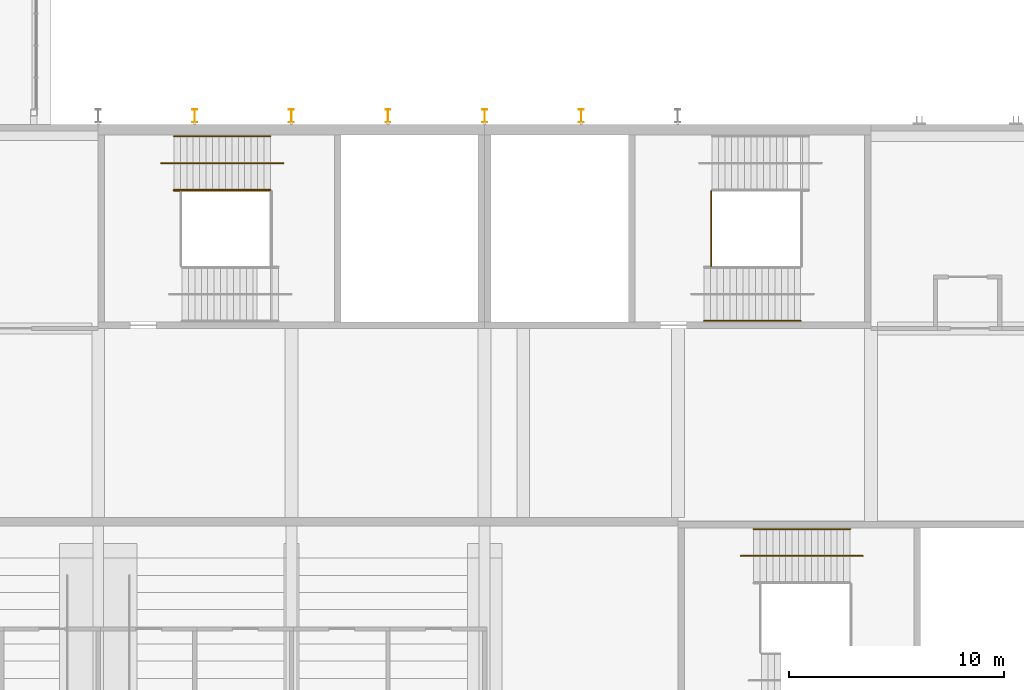
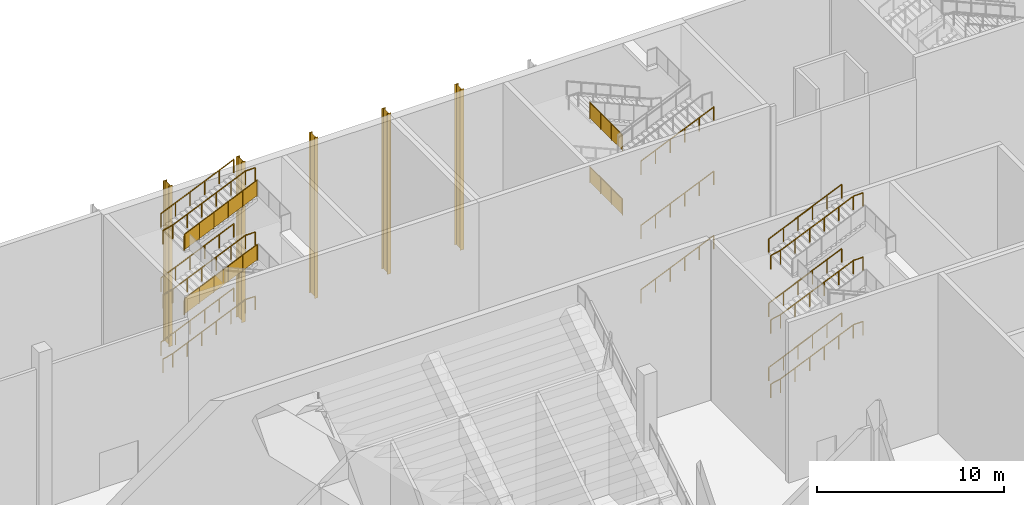
# One storey, part 174 of 182: 21 railings, 5 shading devices.
"""IFC4 building model written with IfcOpenShell, lengths in metres."""

import ifcopenshell
import ifcopenshell.guid

model = None  # the IFC model being written
_history = None  # IfcOwnerHistory: only IFC2X3 demands one
_inside = {}  # id of a spatial element -> (the spatial element, [elements in it])
_under = {}  # id of a project, library or spatial element -> (it, [spatial elements below it])
_declared = {}  # id of a project -> (the project, [libraries it declares])
_typed = {}  # id of a type object -> (the type object, [elements of that type])
_made_of = {}  # id of a material, layer set ... -> (it, [elements and type objects made of it])


def new_model(schema):
    """Start an empty IFC model of exactly this schema.

    Asked for "IFC4X3", IfcOpenShell would pick the latest addendum, in which some entities
    have other attributes; the version numbers below select the first issue.
    IFC2X3 requires an IfcOwnerHistory on every rooted entity: one is made here for all.
    """
    global model, _history
    if schema == "IFC4X3":
        model = ifcopenshell.file(schema_version=(4, 3, 0, 0))
    else:
        model = ifcopenshell.file(schema=schema)
    _inside.clear()
    _under.clear()
    _declared.clear()
    _typed.clear()
    _made_of.clear()
    _history = None
    if model.schema == "IFC2X3":
        org = make("IfcOrganization", Name="unknown")
        user = make(
            "IfcPersonAndOrganization",
            ThePerson=make("IfcPerson", FamilyName="unknown"),
            TheOrganization=org,
        )
        app = make(
            "IfcApplication",
            ApplicationDeveloper=org,
            Version="unknown",
            ApplicationFullName="unknown",
            ApplicationIdentifier="unknown",
        )
        _history = make(
            "IfcOwnerHistory",
            OwningUser=user,
            OwningApplication=app,
            ChangeAction="ADDED",
            CreationDate=0,
        )
    return model


def make(cls, **values):
    """One entity of the class cls with the attributes given. An attribute that is None is left unset."""
    return model.create_entity(
        cls, **{name: value for name, value in values.items() if value is not None}
    )


def rooted(cls, **values):
    """An entity with a GlobalId (a new one), such as an element, a storey or a relation."""
    return make(cls, GlobalId=ifcopenshell.guid.new(), OwnerHistory=_history, **values)


def si_unit(unit_type, name, prefix=None):
    """IfcSIUnit, for example si_unit("LENGTHUNIT", "METRE", prefix="MILLI")."""
    return make("IfcSIUnit", UnitType=unit_type, Prefix=prefix, Name=name)


def assignment(units):
    """IfcUnitAssignment: the units of a project."""
    return None if units is None else make("IfcUnitAssignment", Units=units)


def point(xyz):
    """IfcCartesianPoint."""
    return None if xyz is None else make("IfcCartesianPoint", Coordinates=xyz)


def direction(xyz):
    """IfcDirection."""
    return None if xyz is None else make("IfcDirection", DirectionRatios=xyz)


def frame(location, z_axis=None, x_axis=None):
    """IfcAxis2Placement3D, a coordinate frame: its origin and axes. An axis left out is left unset."""
    return make(
        "IfcAxis2Placement3D",
        Location=point(location),
        Axis=direction(z_axis),
        RefDirection=direction(x_axis),
    )


def frame_2d(location, x_axis=None):
    """IfcAxis2Placement2D, a coordinate frame in the plane: its origin and x axis."""
    return make(
        "IfcAxis2Placement2D", Location=point(location), RefDirection=direction(x_axis)
    )


def origin():
    """The frame at (0, 0, 0) with its axes left unset."""
    return frame((0.0, 0.0, 0.0))


def origin_2d():
    """The frame at (0, 0) in the plane with its x axis left unset."""
    return frame_2d((0.0, 0.0))


def place(relative_to, where):
    """IfcLocalPlacement: puts the frame where relative to a parent placement (None: the world)."""
    return make(
        "IfcLocalPlacement", PlacementRelTo=relative_to, RelativePlacement=where
    )


def context(
    kind, dimensions, precision=None, world=None, true_north=None, identifier=None
):
    """IfcGeometricRepresentationContext, for example the 3D "Model" context."""
    return make(
        "IfcGeometricRepresentationContext",
        ContextIdentifier=identifier,
        ContextType=kind,
        CoordinateSpaceDimension=dimensions,
        Precision=precision,
        WorldCoordinateSystem=world,
        TrueNorth=true_north,
    )


def subcontext(parent, identifier, kind, view, scale=None):
    """IfcGeometricRepresentationSubContext, for example "Body" below "Model"."""
    return make(
        "IfcGeometricRepresentationSubContext",
        ContextIdentifier=identifier,
        ContextType=kind,
        ParentContext=parent,
        TargetScale=scale,
        TargetView=view,
    )


def project(units=None, contexts=None):
    """IfcProject with its units and contexts."""
    return rooted(
        "IfcProject",
        Name="project",
        RepresentationContexts=contexts,
        UnitsInContext=assignment(units),
    )


def spatial(cls, under=None, at=None, **own):
    """A site, building, storey or space (cls), placed at a placement, below another one or the project."""
    s = rooted(cls, ObjectPlacement=at, **own)
    if under is not None:
        _under.setdefault(under.id(), (under, []))[1].append(s)
    return s


def polyline(points):
    """IfcPolyline through the points."""
    return make("IfcPolyline", Points=[point(p) for p in points])


def profile(cls, at=None, kind="AREA", **sizes):
    """A parametric profile (cls). Its sizes go by their IFC names, for example OverallWidth=200.0."""
    return make(cls, ProfileType=kind, Position=at, **sizes)


def circle(**sizes):
    """IfcCircleProfileDef."""
    return profile("IfcCircleProfileDef", **sizes)


def i_section(**sizes):
    """IfcIShapeProfileDef."""
    return profile("IfcIShapeProfileDef", **sizes)


def outline(outer, holes=None, kind="AREA"):
    """IfcArbitraryClosedProfileDef: a profile drawn as a closed curve; with holes, ...WithVoids."""
    if holes is None:
        return make("IfcArbitraryClosedProfileDef", ProfileType=kind, OuterCurve=outer)
    return make(
        "IfcArbitraryProfileDefWithVoids",
        ProfileType=kind,
        OuterCurve=outer,
        InnerCurves=holes,
    )


def extrude(swept, where, along, depth):
    """IfcExtrudedAreaSolid: the profile swept, set in the frame where, extruded along a direction by depth."""
    return make(
        "IfcExtrudedAreaSolid",
        SweptArea=swept,
        Position=where,
        ExtrudedDirection=direction(along),
        Depth=depth,
    )


def shape(context_of_items, identifier, shape_type, items):
    """IfcShapeRepresentation: the items that make up one representation, for example the "Body"."""
    return make(
        "IfcShapeRepresentation",
        ContextOfItems=context_of_items,
        RepresentationIdentifier=identifier,
        RepresentationType=shape_type,
        Items=items,
    )


def material(Name=None, Category=None):
    """IfcMaterial."""
    return make("IfcMaterial", Name=Name, Category=Category)


def material_profile(
    of_material, cross_section, Name=None, Category=None, Priority=None
):
    """IfcMaterialProfile: a cross section and its material."""
    return make(
        "IfcMaterialProfile",
        Name=Name,
        Material=of_material,
        Profile=cross_section,
        Priority=Priority,
        Category=Category,
    )


def profile_set(profiles, Name=None, composite=None):
    """IfcMaterialProfileSet."""
    return make(
        "IfcMaterialProfileSet",
        Name=Name,
        MaterialProfiles=profiles,
        CompositeProfile=composite,
    )


def made_of(thing, what):
    """Note that an element or type object is made of a material, layer set ...; save() writes the relation."""
    if what is not None:
        _made_of.setdefault(what.id(), (what, []))[1].append(thing)
    return thing


def type_object(cls, material=None, **own):
    """A type object (cls), such as IfcWallType, which elements share."""
    return made_of(rooted(cls, **own), material)


def element(
    cls,
    number,
    at=None,
    inside=None,
    cuts=None,
    type_object=None,
    material=None,
    context=None,
    identifier="Body",
    shape_type=None,
    held_by="IfcProductDefinitionShape",
    body=None,
    shapes=None,
    **own,
):
    """One element of the class cls, such as IfcWall. Its Tag is "e" and its number.

    at: its placement. inside: the storey or other place that contains it. cuts: it is an
    opening in that element (IfcRelVoidsElement). A single representation is given by context,
    identifier, shape_type and body (its items); several are given by shapes. held_by: the class
    of the entity that holds the representations. save() writes the other relations.
    """
    e = rooted(cls, Tag="e%d" % number, ObjectPlacement=at, **own)
    if body is not None:
        shapes = [shape(context, identifier, shape_type, body)]
    if shapes is not None:
        e.Representation = make(held_by, Representations=shapes)
    if inside is not None:
        _inside.setdefault(inside.id(), (inside, []))[1].append(e)
    if cuts is not None:
        rooted(
            "IfcRelVoidsElement", RelatingBuildingElement=cuts, RelatedOpeningElement=e
        )
    if type_object is not None:
        _typed.setdefault(type_object.id(), (type_object, []))[1].append(e)
    return made_of(e, material)


def aggregate(whole, parts):
    """IfcRelAggregates: a whole, such as a stair, and the parts it consists of."""
    return rooted("IfcRelAggregates", RelatingObject=whole, RelatedObjects=parts)


def save(model, path):
    """Write the relations noted so far, then the file.

    IfcRelAggregates (storeys below a building ...), IfcRelContainedInSpatialStructure (elements
    in a storey), IfcRelDefinesByType, IfcRelAssociatesMaterial and IfcRelDeclares: one each for
    every whole, place, type object, material and project.
    """
    for whole, parts in _under.values():
        aggregate(whole, parts)
    for where, things in _inside.values():
        rooted(
            "IfcRelContainedInSpatialStructure",
            RelatedElements=things,
            RelatingStructure=where,
        )
    for kind, things in _typed.values():
        rooted("IfcRelDefinesByType", RelatedObjects=things, RelatingType=kind)
    for what, things in _made_of.values():
        rooted("IfcRelAssociatesMaterial", RelatedObjects=things, RelatingMaterial=what)
    for by, libraries in _declared.values():
        rooted("IfcRelDeclares", RelatingContext=by, RelatedDefinitions=libraries)
    model.write(path)


model = new_model("IFC4")

# Units and contexts
model_context = context("Model", 3, precision=1e-05, world=origin(), true_north=direction((0.0, 1.0)))
body_context = subcontext(model_context, "Body", "Model", "MODEL_VIEW")
ifc_project = project(units=[si_unit("LENGTHUNIT", "METRE"), si_unit("AREAUNIT", "SQUARE_METRE"), si_unit("VOLUMEUNIT", "CUBIC_METRE"), si_unit("PLANEANGLEUNIT", "RADIAN"), si_unit("MASSUNIT", "GRAM", prefix="KILO")], contexts=[model_context])

# Site, building, storey
site_placement = place(None, origin())
site = spatial("IfcSite", under=ifc_project, at=site_placement, CompositionType="ELEMENT")
building_placement = place(site_placement, origin())
building = spatial("IfcBuilding", under=site, at=building_placement, Name="Silverbay Arena", CompositionType="ELEMENT")
storey_placement = place(building_placement, frame((0.0, 0.0, 11.5)))
storey = spatial("IfcBuildingStorey", under=building, at=storey_placement, Name="L02", CompositionType="ELEMENT", Elevation=11.5)

# Railings
ifc_material_1 = material(Name="Stainless steel", Category="steel")
railing_type_1 = type_object("IfcRailingType", Name="Stair guard 1100", PredefinedType="GUARDRAIL", material=ifc_material_1)
railing_1_placement = place(storey_placement, frame((147.52587890625, 141.425048828125, 4.331298828125)))
element("IfcRailing", 1, at=railing_1_placement, inside=storey, type_object=railing_type_1, Name="Stair ST-N3 L02 to L03 flight 3 guard left", PredefinedType="GUARDRAIL", context=body_context, shape_type="SweptSolid", body=[
    extrude(circle(Radius=0.02392578125, at=origin_2d()), frame((0.0, 0.0, 1.076171875), z_axis=(0.916157334902, 0.0, 0.40081883402), x_axis=(0.0, 1.0, 0.0)), (0.0, 0.0, 1.0), 4.911865234375),
    extrude(outline(polyline([(-0.008056640625, 0.04638671875), (0.907958984375, 0.447265625), (0.907958984375, 1.4501953125), (-0.008056640625, 1.049560546875), (-0.008056640625, 0.04638671875)])), frame((0.0, 0.0029296875, 0.0), z_axis=(0.0, -1.0, 0.0), x_axis=(1.0, 0.0, 0.0)), (0.0, 0.0, 1.0), 0.006103515625),
    extrude(outline(polyline([(-0.008056640625, 0.440185546875), (0.907958984375, 0.841064453125), (0.907958984375, 1.843994140625), (-0.008056640625, 1.443359375), (-0.008056640625, 0.440185546875)])), frame((0.89990234375, 0.0029296875, 0.0), z_axis=(0.0, -1.0, 0.0), x_axis=(1.0, 0.0, 0.0)), (0.0, 0.0, 1.0), 0.006103515625),
    extrude(outline(polyline([(-0.008056640625, 0.833984375), (0.907958984375, 1.23486328125), (0.907958984375, 2.23779296875), (-0.008056640625, 1.8369140625), (-0.008056640625, 0.833984375)])), frame((1.800048828125, 0.0029296875, 0.0), z_axis=(0.0, -1.0, 0.0), x_axis=(1.0, 0.0, 0.0)), (0.0, 0.0, 1.0), 0.006103515625),
    extrude(outline(polyline([(-0.008056640625, 1.227783203125), (0.907958984375, 1.62841796875), (0.907958984375, 2.631591796875), (-0.008056640625, 2.230712890625), (-0.008056640625, 1.227783203125)])), frame((2.699951171875, 0.0029296875, 0.0), z_axis=(0.0, -1.0, 0.0), x_axis=(1.0, 0.0, 0.0)), (0.0, 0.0, 1.0), 0.006103515625),
    extrude(outline(polyline([(-0.008056640625, 1.62158203125), (0.907958984375, 2.022216796875), (0.907958984375, 3.025146484375), (-0.008056640625, 2.62451171875), (-0.008056640625, 1.62158203125)])), frame((3.60009765625, 0.0029296875, 0.0), z_axis=(0.0, -1.0, 0.0), x_axis=(1.0, 0.0, 0.0)), (0.0, 0.0, 1.0), 0.006103515625),
    extrude(circle(Radius=0.02099609375, at=origin_2d()), origin(), (0.0, 0.0, 1.0), 1.052001953125),
    extrude(circle(Radius=0.02099609375, at=origin_2d()), frame((0.89990234375, 0.0, 0.393798828125)), (0.0, 0.0, 1.0), 1.052001953125),
    extrude(circle(Radius=0.02099609375, at=origin_2d()), frame((1.800048828125, 0.0, 0.78759765625)), (0.0, 0.0, 1.0), 1.052001953125),
    extrude(circle(Radius=0.02099609375, at=origin_2d()), frame((2.699951171875, 0.0, 1.18115234375)), (0.0, 0.0, 1.0), 1.052001953125),
    extrude(circle(Radius=0.02099609375, at=origin_2d()), frame((3.60009765625, 0.0, 1.574951171875)), (0.0, 0.0, 1.0), 1.052001953125),
    extrude(circle(Radius=0.02099609375, at=origin_2d()), frame((4.5, 0.0, 1.96875)), (0.0, 0.0, 1.0), 1.052001953125),
])
railing_2_placement = place(storey_placement, frame((147.52587890625, 141.425048828125, 8.53125)))
element("IfcRailing", 2, at=railing_2_placement, inside=storey, type_object=railing_type_1, Name="Stair ST-N3 L02 to L03 flight 5 guard left", PredefinedType="GUARDRAIL", context=body_context, shape_type="SweptSolid", body=[
    extrude(circle(Radius=0.02392578125, at=origin_2d()), frame((0.0, 0.0, 1.076171875), z_axis=(0.916157334902, 0.0, 0.40081883402), x_axis=(0.0, 1.0, 0.0)), (0.0, 0.0, 1.0), 4.911865234375),
    extrude(outline(polyline([(-0.008056640625, 0.04638671875), (0.907958984375, 0.447265625), (0.907958984375, 1.4501953125), (-0.008056640625, 1.049560546875), (-0.008056640625, 0.04638671875)])), frame((0.0, 0.0029296875, 0.0), z_axis=(0.0, -1.0, 0.0), x_axis=(1.0, 0.0, 0.0)), (0.0, 0.0, 1.0), 0.006103515625),
    extrude(outline(polyline([(-0.008056640625, 0.440185546875), (0.907958984375, 0.841064453125), (0.907958984375, 1.843994140625), (-0.008056640625, 1.443359375), (-0.008056640625, 0.440185546875)])), frame((0.89990234375, 0.0029296875, 0.0), z_axis=(0.0, -1.0, 0.0), x_axis=(1.0, 0.0, 0.0)), (0.0, 0.0, 1.0), 0.006103515625),
    extrude(outline(polyline([(-0.008056640625, 0.833984375), (0.907958984375, 1.23486328125), (0.907958984375, 2.23779296875), (-0.008056640625, 1.8369140625), (-0.008056640625, 0.833984375)])), frame((1.800048828125, 0.0029296875, 0.0), z_axis=(0.0, -1.0, 0.0), x_axis=(1.0, 0.0, 0.0)), (0.0, 0.0, 1.0), 0.006103515625),
    extrude(outline(polyline([(-0.008056640625, 1.227783203125), (0.907958984375, 1.62841796875), (0.907958984375, 2.631591796875), (-0.008056640625, 2.230712890625), (-0.008056640625, 1.227783203125)])), frame((2.699951171875, 0.0029296875, 0.0), z_axis=(0.0, -1.0, 0.0), x_axis=(1.0, 0.0, 0.0)), (0.0, 0.0, 1.0), 0.006103515625),
    extrude(outline(polyline([(-0.008056640625, 1.62158203125), (0.907958984375, 2.022216796875), (0.907958984375, 3.025146484375), (-0.008056640625, 2.62451171875), (-0.008056640625, 1.62158203125)])), frame((3.60009765625, 0.0029296875, 0.0), z_axis=(0.0, -1.0, 0.0), x_axis=(1.0, 0.0, 0.0)), (0.0, 0.0, 1.0), 0.006103515625),
    extrude(circle(Radius=0.02099609375, at=origin_2d()), origin(), (0.0, 0.0, 1.0), 1.052001953125),
    extrude(circle(Radius=0.02099609375, at=origin_2d()), frame((0.89990234375, 0.0, 0.393798828125)), (0.0, 0.0, 1.0), 1.052001953125),
    extrude(circle(Radius=0.02099609375, at=origin_2d()), frame((1.800048828125, 0.0, 0.78759765625)), (0.0, 0.0, 1.0), 1.052001953125),
    extrude(circle(Radius=0.02099609375, at=origin_2d()), frame((2.699951171875, 0.0, 1.18115234375)), (0.0, 0.0, 1.0), 1.052001953125),
    extrude(circle(Radius=0.02099609375, at=origin_2d()), frame((3.60009765625, 0.0, 1.574951171875)), (0.0, 0.0, 1.0), 1.052001953125),
    extrude(circle(Radius=0.02099609375, at=origin_2d()), frame((4.5, 0.0, 1.96875)), (0.0, 0.0, 1.0), 1.052001953125),
])
for number, where, name in (
    (3, (172.550048828125, 137.89990234375, 4.199951171875), "Stair ST-N4 L02 to L03 landing 2 guard"),
    (4, (172.550048828125, 137.89990234375, 8.39990234375), "Stair ST-N4 L02 to L03 landing 4 guard"),
):
    element("IfcRailing", number, at=place(storey_placement, frame(where)), inside=storey, type_object=railing_type_1, Name=name, PredefinedType="GUARDRAIL", context=body_context, shape_type="SweptSolid", body=[
        extrude(circle(Radius=0.02392578125, at=origin_2d()), frame((0.0, 0.0, 1.076171875), z_axis=(0.0, 1.0, 0.0), x_axis=(-1.0, 0.0, 0.0)), (0.0, 0.0, 1.0), 3.5),
        extrude(outline(polyline([(-0.008056640625, 0.050048828125), (1.174560546875, 0.050048828125), (1.174560546875, 1.052978515625), (-0.008056640625, 1.052978515625), (-0.008056640625, 0.050048828125)])), frame((-0.0029296875, 0.0, 0.0), z_axis=(1.0, 0.0, 0.0), x_axis=(0.0, 1.0, 0.0)), (0.0, 0.0, 1.0), 0.006103515625),
        extrude(outline(polyline([(-0.008056640625, 0.050048828125), (1.174560546875, 0.050048828125), (1.174560546875, 1.052978515625), (-0.008056640625, 1.052978515625), (-0.008056640625, 0.050048828125)])), frame((-0.0029296875, 1.166748046875, 0.0), z_axis=(1.0, 0.0, 0.0), x_axis=(0.0, 1.0, 0.0)), (0.0, 0.0, 1.0), 0.006103515625),
        extrude(outline(polyline([(-0.008056640625, 0.050048828125), (1.174560546875, 0.050048828125), (1.174560546875, 1.052978515625), (-0.008056640625, 1.052978515625), (-0.008056640625, 0.050048828125)])), frame((-0.0029296875, 2.333251953125, 0.0), z_axis=(1.0, 0.0, 0.0), x_axis=(0.0, 1.0, 0.0)), (0.0, 0.0, 1.0), 0.006103515625),
        extrude(circle(Radius=0.02099609375, at=origin_2d()), origin(), (0.0, 0.0, 1.0), 1.052001953125),
        extrude(circle(Radius=0.02099609375, at=origin_2d()), frame((0.0, 1.166748046875, 0.0)), (0.0, 0.0, 1.0), 1.052001953125),
        extrude(circle(Radius=0.02099609375, at=origin_2d()), frame((0.0, 2.333251953125, 0.0)), (0.0, 0.0, 1.0), 1.052001953125),
        extrude(circle(Radius=0.02099609375, at=origin_2d()), frame((0.0, 3.5, 0.0)), (0.0, 0.0, 1.0), 1.052001953125),
    ])
ifc_material_2 = material(Name="Stainless steel", Category="steel")
railing_type_2 = type_object("IfcRailingType", Name="Stair handrail 900", PredefinedType="HANDRAIL", material=ifc_material_2)
railing_3_placement = place(storey_placement, frame((147.52587890625, 143.949951171875, 0.13134765625)))
element("IfcRailing", 5, at=railing_3_placement, inside=storey, type_object=railing_type_2, Name="Stair ST-N3 L02 to L03 flight 1 handrail right", PredefinedType="HANDRAIL", context=body_context, shape_type="SweptSolid", body=[
    extrude(circle(Radius=0.02392578125, at=origin_2d()), frame((0.0, 0.0, 0.8759765625), z_axis=(0.916157334902, 0.0, 0.40081883402), x_axis=(0.0, 1.0, 0.0)), (0.0, 0.0, 1.0), 4.911865234375),
    extrude(circle(Radius=0.02099609375, at=origin_2d()), origin(), (0.0, 0.0, 1.0), 0.851806640625),
    extrude(circle(Radius=0.02099609375, at=origin_2d()), frame((0.89990234375, 0.0, 0.393798828125)), (0.0, 0.0, 1.0), 0.851806640625),
    extrude(circle(Radius=0.02099609375, at=origin_2d()), frame((1.800048828125, 0.0, 0.78759765625)), (0.0, 0.0, 1.0), 0.851806640625),
    extrude(circle(Radius=0.02099609375, at=origin_2d()), frame((2.699951171875, 0.0, 1.18115234375)), (0.0, 0.0, 1.0), 0.851806640625),
    extrude(circle(Radius=0.02099609375, at=origin_2d()), frame((3.60009765625, 0.0, 1.574951171875)), (0.0, 0.0, 1.0), 0.851806640625),
    extrude(circle(Radius=0.02099609375, at=origin_2d()), frame((4.5, 0.0, 1.96875)), (0.0, 0.0, 1.0), 0.851806640625),
])
railing_4_placement = place(storey_placement, frame((146.92578125, 142.699951171875, 0.0)))
element("IfcRailing", 6, at=railing_4_placement, inside=storey, type_object=railing_type_2, Name="Stair ST-N3 L02 to L03 flight 1 central handrail", PredefinedType="HANDRAIL", context=body_context, shape_type="SweptSolid", body=[
    extrude(circle(Radius=0.02392578125, at=origin_2d()), frame((0.0, 0.0, 0.8759765625), z_axis=(0.976874083041, 0.0, 0.213815401414), x_axis=(0.0, 1.0, 0.0)), (0.0, 0.0, 1.0), 0.6142578125),
    extrude(circle(Radius=0.02392578125, at=origin_2d()), frame((0.60009765625, 0.0, 1.00732421875), z_axis=(0.916157334902, 0.0, 0.40081883402), x_axis=(0.0, 1.0, 0.0)), (0.0, 0.0, 1.0), 4.911865234375),
    extrude(circle(Radius=0.02392578125, at=origin_2d()), frame((5.10009765625, 0.0, 2.97607421875), z_axis=(1.0, 0.0, 0.0), x_axis=(0.0, 1.0, 0.0)), (0.0, 0.0, 1.0), 0.599853515625),
    extrude(circle(Radius=0.02099609375, at=origin_2d()), origin(), (0.0, 0.0, 1.0), 0.851806640625),
    extrude(circle(Radius=0.02099609375, at=origin_2d()), frame((0.60009765625, 0.0, 0.13134765625)), (0.0, 0.0, 1.0), 0.851806640625),
    extrude(circle(Radius=0.02099609375, at=origin_2d()), frame((1.5, 0.0, 0.525146484375)), (0.0, 0.0, 1.0), 0.851806640625),
    extrude(circle(Radius=0.02099609375, at=origin_2d()), frame((2.400146484375, 0.0, 0.9189453125)), (0.0, 0.0, 1.0), 0.851806640625),
    extrude(circle(Radius=0.02099609375, at=origin_2d()), frame((3.300048828125, 0.0, 1.3125)), (0.0, 0.0, 1.0), 0.851806640625),
    extrude(circle(Radius=0.02099609375, at=origin_2d()), frame((4.2001953125, 0.0, 1.706298828125)), (0.0, 0.0, 1.0), 0.851806640625),
    extrude(circle(Radius=0.02099609375, at=origin_2d()), frame((5.10009765625, 0.0, 2.10009765625)), (0.0, 0.0, 1.0), 0.851806640625),
    extrude(circle(Radius=0.02099609375, at=origin_2d()), frame((5.699951171875, 0.0, 2.10009765625)), (0.0, 0.0, 1.0), 0.851806640625),
])
for number, where, name in (
    (7, (147.52587890625, 141.464111328125, 4.331298828125), "Stair ST-N3 L02 to L03 flight 3 handrail left"),
    (8, (147.52587890625, 143.949951171875, 4.331298828125), "Stair ST-N3 L02 to L03 flight 3 handrail right"),
):
    element("IfcRailing", number, at=place(storey_placement, frame(where)), inside=storey, type_object=railing_type_2, Name=name, PredefinedType="HANDRAIL", context=body_context, shape_type="SweptSolid", body=[
        extrude(circle(Radius=0.02392578125, at=origin_2d()), frame((0.0, 0.0, 0.8759765625), z_axis=(0.916157334902, 0.0, 0.40081883402), x_axis=(0.0, 1.0, 0.0)), (0.0, 0.0, 1.0), 4.911865234375),
        extrude(circle(Radius=0.02099609375, at=origin_2d()), origin(), (0.0, 0.0, 1.0), 0.851806640625),
        extrude(circle(Radius=0.02099609375, at=origin_2d()), frame((0.89990234375, 0.0, 0.393798828125)), (0.0, 0.0, 1.0), 0.851806640625),
        extrude(circle(Radius=0.02099609375, at=origin_2d()), frame((1.800048828125, 0.0, 0.78759765625)), (0.0, 0.0, 1.0), 0.851806640625),
        extrude(circle(Radius=0.02099609375, at=origin_2d()), frame((2.699951171875, 0.0, 1.18115234375)), (0.0, 0.0, 1.0), 0.851806640625),
        extrude(circle(Radius=0.02099609375, at=origin_2d()), frame((3.60009765625, 0.0, 1.574951171875)), (0.0, 0.0, 1.0), 0.851806640625),
        extrude(circle(Radius=0.02099609375, at=origin_2d()), frame((4.5, 0.0, 1.96875)), (0.0, 0.0, 1.0), 0.851806640625),
    ])
railing_5_placement = place(storey_placement, frame((146.92578125, 142.699951171875, 4.199951171875)))
element("IfcRailing", 9, at=railing_5_placement, inside=storey, type_object=railing_type_2, Name="Stair ST-N3 L02 to L03 flight 3 central handrail", PredefinedType="HANDRAIL", context=body_context, shape_type="SweptSolid", body=[
    extrude(circle(Radius=0.02392578125, at=origin_2d()), frame((0.0, 0.0, 0.8759765625), z_axis=(0.976874083041, 0.0, 0.213815401414), x_axis=(0.0, 1.0, 0.0)), (0.0, 0.0, 1.0), 0.6142578125),
    extrude(circle(Radius=0.02392578125, at=origin_2d()), frame((0.60009765625, 0.0, 1.00732421875), z_axis=(0.916157334902, 0.0, 0.40081883402), x_axis=(0.0, 1.0, 0.0)), (0.0, 0.0, 1.0), 4.911865234375),
    extrude(circle(Radius=0.02392578125, at=origin_2d()), frame((5.10009765625, 0.0, 2.97607421875), z_axis=(1.0, 0.0, 0.0), x_axis=(0.0, 1.0, 0.0)), (0.0, 0.0, 1.0), 0.599853515625),
    extrude(circle(Radius=0.02099609375, at=origin_2d()), origin(), (0.0, 0.0, 1.0), 0.851806640625),
    extrude(circle(Radius=0.02099609375, at=origin_2d()), frame((0.60009765625, 0.0, 0.13134765625)), (0.0, 0.0, 1.0), 0.851806640625),
    extrude(circle(Radius=0.02099609375, at=origin_2d()), frame((1.5, 0.0, 0.525146484375)), (0.0, 0.0, 1.0), 0.851806640625),
    extrude(circle(Radius=0.02099609375, at=origin_2d()), frame((2.400146484375, 0.0, 0.9189453125)), (0.0, 0.0, 1.0), 0.851806640625),
    extrude(circle(Radius=0.02099609375, at=origin_2d()), frame((3.300048828125, 0.0, 1.3125)), (0.0, 0.0, 1.0), 0.851806640625),
    extrude(circle(Radius=0.02099609375, at=origin_2d()), frame((4.2001953125, 0.0, 1.706298828125)), (0.0, 0.0, 1.0), 0.851806640625),
    extrude(circle(Radius=0.02099609375, at=origin_2d()), frame((5.10009765625, 0.0, 2.10009765625)), (0.0, 0.0, 1.0), 0.851806640625),
    extrude(circle(Radius=0.02099609375, at=origin_2d()), frame((5.699951171875, 0.0, 2.10009765625)), (0.0, 0.0, 1.0), 0.851806640625),
])
for number, where, name in (
    (10, (147.52587890625, 141.464111328125, 8.53125), "Stair ST-N3 L02 to L03 flight 5 handrail left"),
    (11, (147.52587890625, 143.949951171875, 8.53125), "Stair ST-N3 L02 to L03 flight 5 handrail right"),
):
    element("IfcRailing", number, at=place(storey_placement, frame(where)), inside=storey, type_object=railing_type_2, Name=name, PredefinedType="HANDRAIL", context=body_context, shape_type="SweptSolid", body=[
        extrude(circle(Radius=0.02392578125, at=origin_2d()), frame((0.0, 0.0, 0.8759765625), z_axis=(0.916157334902, 0.0, 0.40081883402), x_axis=(0.0, 1.0, 0.0)), (0.0, 0.0, 1.0), 4.911865234375),
        extrude(circle(Radius=0.02099609375, at=origin_2d()), origin(), (0.0, 0.0, 1.0), 0.851806640625),
        extrude(circle(Radius=0.02099609375, at=origin_2d()), frame((0.89990234375, 0.0, 0.393798828125)), (0.0, 0.0, 1.0), 0.851806640625),
        extrude(circle(Radius=0.02099609375, at=origin_2d()), frame((1.800048828125, 0.0, 0.78759765625)), (0.0, 0.0, 1.0), 0.851806640625),
        extrude(circle(Radius=0.02099609375, at=origin_2d()), frame((2.699951171875, 0.0, 1.18115234375)), (0.0, 0.0, 1.0), 0.851806640625),
        extrude(circle(Radius=0.02099609375, at=origin_2d()), frame((3.60009765625, 0.0, 1.574951171875)), (0.0, 0.0, 1.0), 0.851806640625),
        extrude(circle(Radius=0.02099609375, at=origin_2d()), frame((4.5, 0.0, 1.96875)), (0.0, 0.0, 1.0), 0.851806640625),
    ])
railing_6_placement = place(storey_placement, frame((146.92578125, 142.699951171875, 8.39990234375)))
element("IfcRailing", 12, at=railing_6_placement, inside=storey, type_object=railing_type_2, Name="Stair ST-N3 L02 to L03 flight 5 central handrail", PredefinedType="HANDRAIL", context=body_context, shape_type="SweptSolid", body=[
    extrude(circle(Radius=0.02392578125, at=origin_2d()), frame((0.0, 0.0, 0.8759765625), z_axis=(0.976874083041, 0.0, 0.213815401414), x_axis=(0.0, 1.0, 0.0)), (0.0, 0.0, 1.0), 0.6142578125),
    extrude(circle(Radius=0.02392578125, at=origin_2d()), frame((0.60009765625, 0.0, 1.00732421875), z_axis=(0.916157334902, 0.0, 0.40081883402), x_axis=(0.0, 1.0, 0.0)), (0.0, 0.0, 1.0), 4.911865234375),
    extrude(circle(Radius=0.02392578125, at=origin_2d()), frame((5.10009765625, 0.0, 2.97607421875), z_axis=(1.0, 0.0, 0.0), x_axis=(0.0, 1.0, 0.0)), (0.0, 0.0, 1.0), 0.599853515625),
    extrude(circle(Radius=0.02099609375, at=origin_2d()), origin(), (0.0, 0.0, 1.0), 0.851806640625),
    extrude(circle(Radius=0.02099609375, at=origin_2d()), frame((0.60009765625, 0.0, 0.13134765625)), (0.0, 0.0, 1.0), 0.851806640625),
    extrude(circle(Radius=0.02099609375, at=origin_2d()), frame((1.5, 0.0, 0.525146484375)), (0.0, 0.0, 1.0), 0.851806640625),
    extrude(circle(Radius=0.02099609375, at=origin_2d()), frame((2.400146484375, 0.0, 0.9189453125)), (0.0, 0.0, 1.0), 0.851806640625),
    extrude(circle(Radius=0.02099609375, at=origin_2d()), frame((3.300048828125, 0.0, 1.3125)), (0.0, 0.0, 1.0), 0.851806640625),
    extrude(circle(Radius=0.02099609375, at=origin_2d()), frame((4.2001953125, 0.0, 1.706298828125)), (0.0, 0.0, 1.0), 0.851806640625),
    extrude(circle(Radius=0.02099609375, at=origin_2d()), frame((5.10009765625, 0.0, 2.10009765625)), (0.0, 0.0, 1.0), 0.851806640625),
    extrude(circle(Radius=0.02099609375, at=origin_2d()), frame((5.699951171875, 0.0, 2.10009765625)), (0.0, 0.0, 1.0), 0.851806640625),
])
for number, where, name in (
    (13, (172.225830078125, 135.35009765625, 0.13134765625), "Stair ST-N4 L02 to L03 flight 1 handrail left"),
    (14, (172.225830078125, 135.35009765625, 4.331298828125), "Stair ST-N4 L02 to L03 flight 3 handrail left"),
    (15, (172.225830078125, 135.35009765625, 8.53125), "Stair ST-N4 L02 to L03 flight 5 handrail left"),
    (16, (174.52587890625, 125.64990234375, 0.13134765625), "Stair ST-NE1 L02 to L03 flight 1 handrail right"),
):
    element("IfcRailing", number, at=place(storey_placement, frame(where)), inside=storey, type_object=railing_type_2, Name=name, PredefinedType="HANDRAIL", context=body_context, shape_type="SweptSolid", body=[
        extrude(circle(Radius=0.02392578125, at=origin_2d()), frame((0.0, 0.0, 0.8759765625), z_axis=(0.916157334902, 0.0, 0.40081883402), x_axis=(0.0, 1.0, 0.0)), (0.0, 0.0, 1.0), 4.911865234375),
        extrude(circle(Radius=0.02099609375, at=origin_2d()), origin(), (0.0, 0.0, 1.0), 0.851806640625),
        extrude(circle(Radius=0.02099609375, at=origin_2d()), frame((0.89990234375, 0.0, 0.393798828125)), (0.0, 0.0, 1.0), 0.851806640625),
        extrude(circle(Radius=0.02099609375, at=origin_2d()), frame((1.800048828125, 0.0, 0.78759765625)), (0.0, 0.0, 1.0), 0.851806640625),
        extrude(circle(Radius=0.02099609375, at=origin_2d()), frame((2.699951171875, 0.0, 1.18115234375)), (0.0, 0.0, 1.0), 0.851806640625),
        extrude(circle(Radius=0.02099609375, at=origin_2d()), frame((3.60009765625, 0.0, 1.574951171875)), (0.0, 0.0, 1.0), 0.851806640625),
        extrude(circle(Radius=0.02099609375, at=origin_2d()), frame((4.5, 0.0, 1.96875)), (0.0, 0.0, 1.0), 0.851806640625),
    ])
railing_7_placement = place(storey_placement, frame((173.92578125, 124.39990234375, 0.0)))
element("IfcRailing", 17, at=railing_7_placement, inside=storey, type_object=railing_type_2, Name="Stair ST-NE1 L02 to L03 flight 1 central handrail", PredefinedType="HANDRAIL", context=body_context, shape_type="SweptSolid", body=[
    extrude(circle(Radius=0.02392578125, at=origin_2d()), frame((0.0, 0.0, 0.8759765625), z_axis=(0.976874083041, 0.0, 0.213815401414), x_axis=(0.0, 1.0, 0.0)), (0.0, 0.0, 1.0), 0.6142578125),
    extrude(circle(Radius=0.02392578125, at=origin_2d()), frame((0.60009765625, 0.0, 1.00732421875), z_axis=(0.916157334902, 0.0, 0.40081883402), x_axis=(0.0, 1.0, 0.0)), (0.0, 0.0, 1.0), 4.911865234375),
    extrude(circle(Radius=0.02392578125, at=origin_2d()), frame((5.10009765625, 0.0, 2.97607421875), z_axis=(1.0, 0.0, 0.0), x_axis=(0.0, 1.0, 0.0)), (0.0, 0.0, 1.0), 0.599853515625),
    extrude(circle(Radius=0.02099609375, at=origin_2d()), origin(), (0.0, 0.0, 1.0), 0.851806640625),
    extrude(circle(Radius=0.02099609375, at=origin_2d()), frame((0.60009765625, 0.0, 0.13134765625)), (0.0, 0.0, 1.0), 0.851806640625),
    extrude(circle(Radius=0.02099609375, at=origin_2d()), frame((1.5, 0.0, 0.525146484375)), (0.0, 0.0, 1.0), 0.851806640625),
    extrude(circle(Radius=0.02099609375, at=origin_2d()), frame((2.400146484375, 0.0, 0.9189453125)), (0.0, 0.0, 1.0), 0.851806640625),
    extrude(circle(Radius=0.02099609375, at=origin_2d()), frame((3.300048828125, 0.0, 1.3125)), (0.0, 0.0, 1.0), 0.851806640625),
    extrude(circle(Radius=0.02099609375, at=origin_2d()), frame((4.2001953125, 0.0, 1.706298828125)), (0.0, 0.0, 1.0), 0.851806640625),
    extrude(circle(Radius=0.02099609375, at=origin_2d()), frame((5.10009765625, 0.0, 2.10009765625)), (0.0, 0.0, 1.0), 0.851806640625),
    extrude(circle(Radius=0.02099609375, at=origin_2d()), frame((5.699951171875, 0.0, 2.10009765625)), (0.0, 0.0, 1.0), 0.851806640625),
])
railing_8_placement = place(storey_placement, frame((174.52587890625, 125.64990234375, 4.331298828125)))
element("IfcRailing", 18, at=railing_8_placement, inside=storey, type_object=railing_type_2, Name="Stair ST-NE1 L02 to L03 flight 3 handrail right", PredefinedType="HANDRAIL", context=body_context, shape_type="SweptSolid", body=[
    extrude(circle(Radius=0.02392578125, at=origin_2d()), frame((0.0, 0.0, 0.8759765625), z_axis=(0.916157334902, 0.0, 0.40081883402), x_axis=(0.0, 1.0, 0.0)), (0.0, 0.0, 1.0), 4.911865234375),
    extrude(circle(Radius=0.02099609375, at=origin_2d()), origin(), (0.0, 0.0, 1.0), 0.851806640625),
    extrude(circle(Radius=0.02099609375, at=origin_2d()), frame((0.89990234375, 0.0, 0.393798828125)), (0.0, 0.0, 1.0), 0.851806640625),
    extrude(circle(Radius=0.02099609375, at=origin_2d()), frame((1.800048828125, 0.0, 0.78759765625)), (0.0, 0.0, 1.0), 0.851806640625),
    extrude(circle(Radius=0.02099609375, at=origin_2d()), frame((2.699951171875, 0.0, 1.18115234375)), (0.0, 0.0, 1.0), 0.851806640625),
    extrude(circle(Radius=0.02099609375, at=origin_2d()), frame((3.60009765625, 0.0, 1.574951171875)), (0.0, 0.0, 1.0), 0.851806640625),
    extrude(circle(Radius=0.02099609375, at=origin_2d()), frame((4.5, 0.0, 1.96875)), (0.0, 0.0, 1.0), 0.851806640625),
])
railing_9_placement = place(storey_placement, frame((173.92578125, 124.39990234375, 4.199951171875)))
element("IfcRailing", 19, at=railing_9_placement, inside=storey, type_object=railing_type_2, Name="Stair ST-NE1 L02 to L03 flight 3 central handrail", PredefinedType="HANDRAIL", context=body_context, shape_type="SweptSolid", body=[
    extrude(circle(Radius=0.02392578125, at=origin_2d()), frame((0.0, 0.0, 0.8759765625), z_axis=(0.976874083041, 0.0, 0.213815401414), x_axis=(0.0, 1.0, 0.0)), (0.0, 0.0, 1.0), 0.6142578125),
    extrude(circle(Radius=0.02392578125, at=origin_2d()), frame((0.60009765625, 0.0, 1.00732421875), z_axis=(0.916157334902, 0.0, 0.40081883402), x_axis=(0.0, 1.0, 0.0)), (0.0, 0.0, 1.0), 4.911865234375),
    extrude(circle(Radius=0.02392578125, at=origin_2d()), frame((5.10009765625, 0.0, 2.97607421875), z_axis=(1.0, 0.0, 0.0), x_axis=(0.0, 1.0, 0.0)), (0.0, 0.0, 1.0), 0.599853515625),
    extrude(circle(Radius=0.02099609375, at=origin_2d()), origin(), (0.0, 0.0, 1.0), 0.851806640625),
    extrude(circle(Radius=0.02099609375, at=origin_2d()), frame((0.60009765625, 0.0, 0.13134765625)), (0.0, 0.0, 1.0), 0.851806640625),
    extrude(circle(Radius=0.02099609375, at=origin_2d()), frame((1.5, 0.0, 0.525146484375)), (0.0, 0.0, 1.0), 0.851806640625),
    extrude(circle(Radius=0.02099609375, at=origin_2d()), frame((2.400146484375, 0.0, 0.9189453125)), (0.0, 0.0, 1.0), 0.851806640625),
    extrude(circle(Radius=0.02099609375, at=origin_2d()), frame((3.300048828125, 0.0, 1.3125)), (0.0, 0.0, 1.0), 0.851806640625),
    extrude(circle(Radius=0.02099609375, at=origin_2d()), frame((4.2001953125, 0.0, 1.706298828125)), (0.0, 0.0, 1.0), 0.851806640625),
    extrude(circle(Radius=0.02099609375, at=origin_2d()), frame((5.10009765625, 0.0, 2.10009765625)), (0.0, 0.0, 1.0), 0.851806640625),
    extrude(circle(Radius=0.02099609375, at=origin_2d()), frame((5.699951171875, 0.0, 2.10009765625)), (0.0, 0.0, 1.0), 0.851806640625),
])
railing_10_placement = place(storey_placement, frame((174.52587890625, 125.64990234375, 8.53125)))
element("IfcRailing", 20, at=railing_10_placement, inside=storey, type_object=railing_type_2, Name="Stair ST-NE1 L02 to L03 flight 5 handrail right", PredefinedType="HANDRAIL", context=body_context, shape_type="SweptSolid", body=[
    extrude(circle(Radius=0.02392578125, at=origin_2d()), frame((0.0, 0.0, 0.8759765625), z_axis=(0.916157334902, 0.0, 0.40081883402), x_axis=(0.0, 1.0, 0.0)), (0.0, 0.0, 1.0), 4.911865234375),
    extrude(circle(Radius=0.02099609375, at=origin_2d()), origin(), (0.0, 0.0, 1.0), 0.851806640625),
    extrude(circle(Radius=0.02099609375, at=origin_2d()), frame((0.89990234375, 0.0, 0.393798828125)), (0.0, 0.0, 1.0), 0.851806640625),
    extrude(circle(Radius=0.02099609375, at=origin_2d()), frame((1.800048828125, 0.0, 0.78759765625)), (0.0, 0.0, 1.0), 0.851806640625),
    extrude(circle(Radius=0.02099609375, at=origin_2d()), frame((2.699951171875, 0.0, 1.18115234375)), (0.0, 0.0, 1.0), 0.851806640625),
    extrude(circle(Radius=0.02099609375, at=origin_2d()), frame((3.60009765625, 0.0, 1.574951171875)), (0.0, 0.0, 1.0), 0.851806640625),
    extrude(circle(Radius=0.02099609375, at=origin_2d()), frame((4.5, 0.0, 1.96875)), (0.0, 0.0, 1.0), 0.851806640625),
])
railing_11_placement = place(storey_placement, frame((173.92578125, 124.39990234375, 8.39990234375)))
element("IfcRailing", 21, at=railing_11_placement, inside=storey, type_object=railing_type_2, Name="Stair ST-NE1 L02 to L03 flight 5 central handrail", PredefinedType="HANDRAIL", context=body_context, shape_type="SweptSolid", body=[
    extrude(circle(Radius=0.02392578125, at=origin_2d()), frame((0.0, 0.0, 0.8759765625), z_axis=(0.976874083041, 0.0, 0.213815401414), x_axis=(0.0, 1.0, 0.0)), (0.0, 0.0, 1.0), 0.6142578125),
    extrude(circle(Radius=0.02392578125, at=origin_2d()), frame((0.60009765625, 0.0, 1.00732421875), z_axis=(0.916157334902, 0.0, 0.40081883402), x_axis=(0.0, 1.0, 0.0)), (0.0, 0.0, 1.0), 4.911865234375),
    extrude(circle(Radius=0.02392578125, at=origin_2d()), frame((5.10009765625, 0.0, 2.97607421875), z_axis=(1.0, 0.0, 0.0), x_axis=(0.0, 1.0, 0.0)), (0.0, 0.0, 1.0), 0.599853515625),
    extrude(circle(Radius=0.02099609375, at=origin_2d()), origin(), (0.0, 0.0, 1.0), 0.851806640625),
    extrude(circle(Radius=0.02099609375, at=origin_2d()), frame((0.60009765625, 0.0, 0.13134765625)), (0.0, 0.0, 1.0), 0.851806640625),
    extrude(circle(Radius=0.02099609375, at=origin_2d()), frame((1.5, 0.0, 0.525146484375)), (0.0, 0.0, 1.0), 0.851806640625),
    extrude(circle(Radius=0.02099609375, at=origin_2d()), frame((2.400146484375, 0.0, 0.9189453125)), (0.0, 0.0, 1.0), 0.851806640625),
    extrude(circle(Radius=0.02099609375, at=origin_2d()), frame((3.300048828125, 0.0, 1.3125)), (0.0, 0.0, 1.0), 0.851806640625),
    extrude(circle(Radius=0.02099609375, at=origin_2d()), frame((4.2001953125, 0.0, 1.706298828125)), (0.0, 0.0, 1.0), 0.851806640625),
    extrude(circle(Radius=0.02099609375, at=origin_2d()), frame((5.10009765625, 0.0, 2.10009765625)), (0.0, 0.0, 1.0), 0.851806640625),
    extrude(circle(Radius=0.02099609375, at=origin_2d()), frame((5.699951171875, 0.0, 2.10009765625)), (0.0, 0.0, 1.0), 0.851806640625),
])

# Shading devices
ifc_material_3 = material(Name="Steel S355", Category="steel")
ifc_material_profile = material_profile(ifc_material_3, i_section(OverallWidth=0.2275390625, OverallDepth=0.6025390625, WebThickness=0.010498046875, FlangeThickness=0.014892578125, at=origin_2d()), Name="UB 610x229x101")
ifc_profile_set = profile_set([ifc_material_profile], Name="Steel S355")
shading_device_type = type_object("IfcShadingDeviceType", Name="Steel fin UB 610x229x101", PredefinedType="USERDEFINED", material=ifc_profile_set)
for number, where, z_axis, x_axis, name in (
    (22, (148.5, 144.9013671875, 0.0), (0.0, 0.0, 1.0), (1.0, 0.0, 0.0), "Steel fin N L02 21"),
    (23, (153.0, 144.9013671875, 0.0), (0.0, 0.0, 1.0), (1.0, 0.0, 0.0), "Steel fin N L02 22"),
    (24, (157.5, 144.9013671875, 0.0), (0.0, 0.0, 1.0), (1.0, 0.0, 0.0), "Steel fin N L02 23"),
    (25, (162.0, 144.9013671875, 0.0), (0.0, 0.0, 1.0), (1.0, 0.0, 0.0), "Steel fin N L02 24"),
    (26, (166.5, 144.9013671875, 0.0), (0.0, 0.0, 1.0), (1.0, 0.0, 0.0), "Steel fin N L02 25"),
):
    element("IfcShadingDevice", number, at=place(storey_placement, frame(where, z_axis=z_axis, x_axis=x_axis)), inside=storey, type_object=shading_device_type, Name=name, ObjectType="FIN", PredefinedType="USERDEFINED", context=body_context, shape_type="SweptSolid", body=[
        extrude(i_section(OverallWidth=0.2275390625, OverallDepth=0.6025390625, WebThickness=0.010498046875, FlangeThickness=0.014892578125, at=origin_2d()), origin(), (0.0, 0.0, 1.0), 10.5),
    ])

save(model, "model.ifc")
